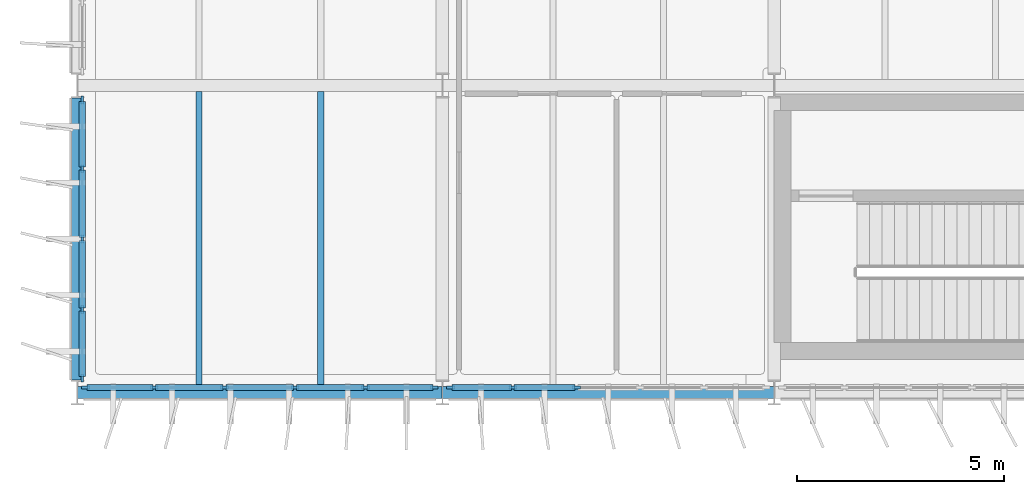
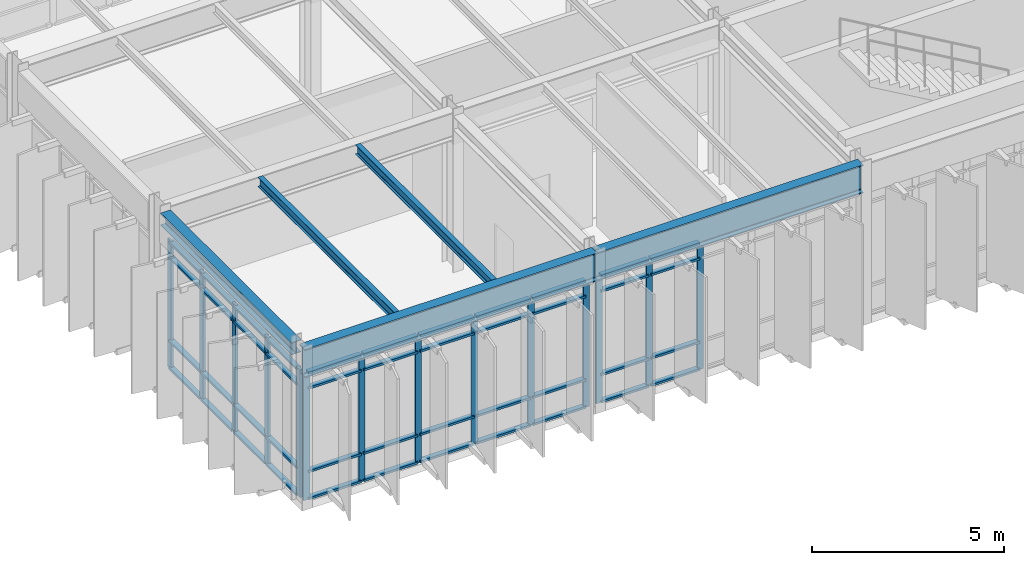
# One storey, part 7 of 48: 58 members, 5 beams, 3 elements without a shape of their own.
"""IFC4 building model written with IfcOpenShell, lengths in metres."""

from ifc_helpers import new_model, si_unit, direction, frame, origin, origin_2d, place, context, subcontext, project, spatial, rectangle, i_section, extrude, material, layer, layer_set, material_profile, profile_set, type_object, element, aggregate, save


model = new_model("IFC4")

# Units and contexts
model_context = context("Model", 3, precision=1e-05, world=origin(), true_north=direction((0.0, 1.0)))
body_context = subcontext(model_context, "Body", "Model", "MODEL_VIEW")
ifc_project = project(units=[si_unit("LENGTHUNIT", "METRE"), si_unit("AREAUNIT", "SQUARE_METRE"), si_unit("VOLUMEUNIT", "CUBIC_METRE"), si_unit("PLANEANGLEUNIT", "RADIAN"), si_unit("MASSUNIT", "GRAM", prefix="KILO")], contexts=[model_context])

# Site, building, storey
site_placement = place(None, origin())
site = spatial("IfcSite", under=ifc_project, at=site_placement, CompositionType="ELEMENT")
building_placement = place(site_placement, origin())
building = spatial("IfcBuilding", under=site, at=building_placement, Name="Valkorina Park Police Headquarters", CompositionType="ELEMENT")
storey_placement = place(building_placement, frame((0.0, 0.0, 18.10009765625)))
storey = spatial("IfcBuildingStorey", under=building, at=storey_placement, Name="L05", CompositionType="ELEMENT", Elevation=18.10009765625)

# Beams
ifc_material_1 = material(Name="Steel S355", Category="steel")
ifc_material_profile_1 = material_profile(ifc_material_1, i_section(OverallWidth=0.300048828125, OverallDepth=0.389892578125, WebThickness=0.010986328125, FlangeThickness=0.01904296875, FilletRadius=0.027099609375, at=origin_2d()), Name="HEA 400")
ifc_profile_set_1 = profile_set([ifc_material_profile_1], Name="Steel S355")
beam_type_1 = type_object("IfcBeamType", Name="BM-S355-HEA400-SPN", PredefinedType="SPANDREL", material=ifc_profile_set_1)
beam_1_placement = place(storey_placement, frame((0.0, 37.300048828125, 4.784912109375), z_axis=(0.0, 1.0, 0.0), x_axis=(-1.0, 0.0, 0.0)))
element("IfcBeam", 1, at=beam_1_placement, inside=storey, type_object=beam_type_1, Name="L05 Framing Beam 2507", PredefinedType="SPANDREL", context=body_context, shape_type="SweptSolid", body=[
    extrude(i_section(OverallWidth=0.300048828125, OverallDepth=0.389892578125, WebThickness=0.010986328125, FlangeThickness=0.01904296875, FilletRadius=0.027099609375, at=origin_2d()), origin(), (0.0, 0.0, 1.0), 6.800048828125),
])
ifc_material_profile_2 = material_profile(ifc_material_1, i_section(OverallWidth=0.300048828125, OverallDepth=0.89990234375, WebThickness=0.0185546875, FlangeThickness=0.034912109375, FilletRadius=0.030029296875, at=origin_2d()), Name="HEB 900")
ifc_profile_set_2 = profile_set([ifc_material_profile_2], Name="Steel S355")
beam_type_2 = type_object("IfcBeamType", Name="BM-S355-HEB900-EXT", PredefinedType="SPANDREL", material=ifc_profile_set_2)
beam_2_placement = place(storey_placement, frame((0.0078125, 37.0, 4.52978515625), z_axis=(1.0, 0.0, 0.0), x_axis=(0.0, 1.0, 0.0)))
element("IfcBeam", 2, at=beam_2_placement, inside=storey, type_object=beam_type_2, Name="L05 Framing Beam 2454", PredefinedType="SPANDREL", context=body_context, shape_type="SweptSolid", body=[
    extrude(i_section(OverallWidth=0.300048828125, OverallDepth=0.89990234375, WebThickness=0.0185546875, FlangeThickness=0.034912109375, FilletRadius=0.030029296875, at=origin_2d()), origin(), (0.0, 0.0, 1.0), 8.784423828125),
])
beam_3_placement = place(storey_placement, frame((8.8076171875, 37.0, 4.52978515625), z_axis=(1.0, 0.0, 0.0), x_axis=(0.0, 1.0, 0.0)))
element("IfcBeam", 3, at=beam_3_placement, inside=storey, type_object=beam_type_2, Name="L05 Framing Beam 2455", PredefinedType="SPANDREL", context=body_context, shape_type="SweptSolid", body=[
    extrude(i_section(OverallWidth=0.300048828125, OverallDepth=0.89990234375, WebThickness=0.0185546875, FlangeThickness=0.034912109375, FilletRadius=0.030029296875, at=origin_2d()), origin(), (0.0, 0.0, 1.0), 7.984619140625),
])
ifc_material_profile_3 = material_profile(ifc_material_1, i_section(OverallWidth=0.14990234375, OverallDepth=0.300048828125, WebThickness=0.007080078125, FlangeThickness=0.0107421875, FilletRadius=0.014892578125, at=origin_2d()), Name="IPE 300")
ifc_profile_set_3 = profile_set([ifc_material_profile_3], Name="Steel S355")
beam_type_3 = type_object("IfcBeamType", Name="BM-S355-IPE300-JST", PredefinedType="JOIST", material=ifc_profile_set_3)
for number, where, z_axis, x_axis, name in (
    (4, (2.933349609375, 37.14990234375, 4.829833984375), (0.0, 1.0, 0.0), (-1.0, 0.0, 0.0), "L05 Framing Beam 2508"),
    (5, (5.86669921875, 37.14990234375, 4.829833984375), (0.0, 1.0, 0.0), (-1.0, 0.0, 0.0), "L05 Framing Beam 2509"),
):
    element("IfcBeam", number, at=place(storey_placement, frame(where, z_axis=z_axis, x_axis=x_axis)), inside=storey, type_object=beam_type_3, Name=name, PredefinedType="JOIST", context=body_context, shape_type="SweptSolid", body=[
        extrude(i_section(OverallWidth=0.14990234375, OverallDepth=0.300048828125, WebThickness=0.007080078125, FlangeThickness=0.0107421875, FilletRadius=0.014892578125, at=origin_2d()), origin(), (0.0, 0.0, 1.0), 7.10009765625),
    ])

# Curtain wall, members
ifc_material_2 = material(Name="Thermally broken aluminium AW-6060", Category="aluminium")
ifc_layer_1 = layer(ifc_material_2, 0.18994140625)
ifc_layer_set_1 = layer_set([ifc_layer_1], Name="Thermally broken aluminium AW-6060")
curtain_wall_type_1 = type_object("IfcCurtainWallType", Name="CW-V5-7680x4070", PredefinedType="NOTDEFINED", material=ifc_layer_set_1)
curtain_wall_1_placement = place(storey_placement, origin())
curtain_wall_1 = element("IfcCurtainWall", 6, at=curtain_wall_1_placement, inside=storey, type_object=curtain_wall_type_1, Name="L05 Unitised Curtain Wall 073", PredefinedType="NOTDEFINED")
ifc_material_profile_4 = material_profile(ifc_material_2, rectangle(XDim=0.070068359375, YDim=0.18994140625, at=origin_2d()), Name="CWM-02 70x190")
ifc_profile_set_4 = profile_set([ifc_material_profile_4], Name="Thermally broken aluminium AW-6060")
member_type_1 = type_object("IfcMemberType", Name="CWM-70x190", PredefinedType="MULLION", material=ifc_profile_set_4)
member_1_placement = place(storey_placement, frame((12.031982421875, 37.1201171875, 0.0), z_axis=(0.0, 0.0, 1.0), x_axis=(0.0, -1.0, 0.0)))
member_1 = element("IfcMember", 7, at=member_1_placement, type_object=member_type_1, Name="CW-V5-768-407 mullion 4", PredefinedType="MULLION", context=body_context, shape_type="SweptSolid", body=[
    extrude(rectangle(XDim=0.070068359375, YDim=0.18994140625, at=origin_2d()), origin(), (0.0, 0.0, 1.0), 4.06982421875),
])
member_2_placement = place(storey_placement, frame((10.49609375, 37.1201171875, 0.0), z_axis=(0.0, 0.0, 1.0), x_axis=(0.0, -1.0, 0.0)))
member_2 = element("IfcMember", 8, at=member_2_placement, type_object=member_type_1, Name="CW-V5-768-407 mullion 5", PredefinedType="MULLION", context=body_context, shape_type="SweptSolid", body=[
    extrude(rectangle(XDim=0.070068359375, YDim=0.18994140625, at=origin_2d()), origin(), (0.0, 0.0, 1.0), 4.06982421875),
])
member_3_placement = place(storey_placement, frame((8.9951171875, 37.1201171875, 0.0), z_axis=(0.0, 0.0, 1.0), x_axis=(0.0, -1.0, 0.0)))
member_3 = element("IfcMember", 9, at=member_3_placement, type_object=member_type_1, Name="CW-V5-768-407 mullion 6", PredefinedType="MULLION", context=body_context, shape_type="SweptSolid", body=[
    extrude(rectangle(XDim=0.070068359375, YDim=0.18994140625, at=origin_2d()), origin(), (0.0, 0.0, 1.0), 4.06982421875),
])

ifc_layer_2 = layer(ifc_material_2, 0.18994140625)
ifc_layer_set_2 = layer_set([ifc_layer_2], Name="Thermally broken aluminium AW-6060")
curtain_wall_type_2 = type_object("IfcCurtainWallType", Name="CW-V5-8480x4070", PredefinedType="NOTDEFINED", material=ifc_layer_set_2)
curtain_wall_2_placement = place(storey_placement, origin())
curtain_wall_2 = element("IfcCurtainWall", 10, at=curtain_wall_2_placement, inside=storey, type_object=curtain_wall_type_2, Name="L05 Unitised Curtain Wall 074", PredefinedType="NOTDEFINED")
member_4_placement = place(storey_placement, frame((8.60498046875, 37.1201171875, 0.0), z_axis=(0.0, 0.0, 1.0), x_axis=(0.0, -1.0, 0.0)))
member_4 = element("IfcMember", 11, at=member_4_placement, type_object=member_type_1, Name="CW-V5-848-407 mullion 1", PredefinedType="MULLION", context=body_context, shape_type="SweptSolid", body=[
    extrude(rectangle(XDim=0.070068359375, YDim=0.18994140625, at=origin_2d()), origin(), (0.0, 0.0, 1.0), 4.06982421875),
])
member_5_placement = place(storey_placement, frame((6.944091796875, 37.1201171875, 0.0), z_axis=(0.0, 0.0, 1.0), x_axis=(0.0, -1.0, 0.0)))
member_5 = element("IfcMember", 12, at=member_5_placement, type_object=member_type_1, Name="CW-V5-848-407 mullion 2", PredefinedType="MULLION", context=body_context, shape_type="SweptSolid", body=[
    extrude(rectangle(XDim=0.070068359375, YDim=0.18994140625, at=origin_2d()), origin(), (0.0, 0.0, 1.0), 4.06982421875),
])
member_6_placement = place(storey_placement, frame((5.248046875, 37.1201171875, 0.0), z_axis=(0.0, 0.0, 1.0), x_axis=(0.0, -1.0, 0.0)))
member_6 = element("IfcMember", 13, at=member_6_placement, type_object=member_type_1, Name="CW-V5-848-407 mullion 3", PredefinedType="MULLION", context=body_context, shape_type="SweptSolid", body=[
    extrude(rectangle(XDim=0.070068359375, YDim=0.18994140625, at=origin_2d()), origin(), (0.0, 0.0, 1.0), 4.06982421875),
])
member_7_placement = place(storey_placement, frame((3.552001953125, 37.1201171875, 0.0), z_axis=(0.0, 0.0, 1.0), x_axis=(0.0, -1.0, 0.0)))
member_7 = element("IfcMember", 14, at=member_7_placement, type_object=member_type_1, Name="CW-V5-848-407 mullion 4", PredefinedType="MULLION", context=body_context, shape_type="SweptSolid", body=[
    extrude(rectangle(XDim=0.070068359375, YDim=0.18994140625, at=origin_2d()), origin(), (0.0, 0.0, 1.0), 4.06982421875),
])
member_8_placement = place(storey_placement, frame((1.85595703125, 37.1201171875, 0.0), z_axis=(0.0, 0.0, 1.0), x_axis=(0.0, -1.0, 0.0)))
member_8 = element("IfcMember", 15, at=member_8_placement, type_object=member_type_1, Name="CW-V5-848-407 mullion 5", PredefinedType="MULLION", context=body_context, shape_type="SweptSolid", body=[
    extrude(rectangle(XDim=0.070068359375, YDim=0.18994140625, at=origin_2d()), origin(), (0.0, 0.0, 1.0), 4.06982421875),
])
member_9_placement = place(storey_placement, frame((0.195068359375, 37.1201171875, 0.0), z_axis=(0.0, 0.0, 1.0), x_axis=(0.0, -1.0, 0.0)))
member_9 = element("IfcMember", 16, at=member_9_placement, type_object=member_type_1, Name="CW-V5-848-407 mullion 6", PredefinedType="MULLION", context=body_context, shape_type="SweptSolid", body=[
    extrude(rectangle(XDim=0.070068359375, YDim=0.18994140625, at=origin_2d()), origin(), (0.0, 0.0, 1.0), 4.06982421875),
])

ifc_layer_3 = layer(ifc_material_2, 0.18994140625)
ifc_layer_set_3 = layer_set([ifc_layer_3], Name="Thermally broken aluminium AW-6060")
curtain_wall_type_3 = type_object("IfcCurtainWallType", Name="CW-V5-6780x4070", PredefinedType="NOTDEFINED", material=ifc_layer_set_3)
curtain_wall_3_placement = place(storey_placement, origin())
curtain_wall_3 = element("IfcCurtainWall", 17, at=curtain_wall_3_placement, inside=storey, type_object=curtain_wall_type_3, Name="L05 Unitised Curtain Wall 075", PredefinedType="NOTDEFINED")
member_10_placement = place(storey_placement, frame((0.1201171875, 37.344970703125, 0.0), z_axis=(0.0, 0.0, 1.0), x_axis=(-1.0, 0.0, 0.0)))
member_10 = element("IfcMember", 18, at=member_10_placement, type_object=member_type_1, Name="CW-V5-678-407 mullion 1", PredefinedType="MULLION", context=body_context, shape_type="SweptSolid", body=[
    extrude(rectangle(XDim=0.070068359375, YDim=0.18994140625, at=origin_2d()), origin(), (0.0, 0.0, 1.0), 4.06982421875),
])
member_11_placement = place(storey_placement, frame((0.1201171875, 39.0048828125, 0.0), z_axis=(0.0, 0.0, 1.0), x_axis=(-1.0, 0.0, 0.0)))
member_11 = element("IfcMember", 19, at=member_11_placement, type_object=member_type_1, Name="CW-V5-678-407 mullion 2", PredefinedType="MULLION", context=body_context, shape_type="SweptSolid", body=[
    extrude(rectangle(XDim=0.070068359375, YDim=0.18994140625, at=origin_2d()), origin(), (0.0, 0.0, 1.0), 4.06982421875),
])
member_12_placement = place(storey_placement, frame((0.1201171875, 40.699951171875, 0.0), z_axis=(0.0, 0.0, 1.0), x_axis=(-1.0, 0.0, 0.0)))
member_12 = element("IfcMember", 20, at=member_12_placement, type_object=member_type_1, Name="CW-V5-678-407 mullion 3", PredefinedType="MULLION", context=body_context, shape_type="SweptSolid", body=[
    extrude(rectangle(XDim=0.070068359375, YDim=0.18994140625, at=origin_2d()), origin(), (0.0, 0.0, 1.0), 4.06982421875),
])
member_13_placement = place(storey_placement, frame((0.1201171875, 42.39501953125, 0.0), z_axis=(0.0, 0.0, 1.0), x_axis=(-1.0, 0.0, 0.0)))
member_13 = element("IfcMember", 21, at=member_13_placement, type_object=member_type_1, Name="CW-V5-678-407 mullion 4", PredefinedType="MULLION", context=body_context, shape_type="SweptSolid", body=[
    extrude(rectangle(XDim=0.070068359375, YDim=0.18994140625, at=origin_2d()), origin(), (0.0, 0.0, 1.0), 4.06982421875),
])
member_14_placement = place(storey_placement, frame((0.1201171875, 44.054931640625, 0.0), z_axis=(0.0, 0.0, 1.0), x_axis=(-1.0, 0.0, 0.0)))
member_14 = element("IfcMember", 22, at=member_14_placement, type_object=member_type_1, Name="CW-V5-678-407 mullion 5", PredefinedType="MULLION", context=body_context, shape_type="SweptSolid", body=[
    extrude(rectangle(XDim=0.070068359375, YDim=0.18994140625, at=origin_2d()), origin(), (0.0, 0.0, 1.0), 4.06982421875),
])

# Member
ifc_material_profile_5 = material_profile(ifc_material_2, rectangle(XDim=0.14990234375, YDim=0.070068359375, at=origin_2d()), Name="CWT-02 150x70")
ifc_profile_set_5 = profile_set([ifc_material_profile_5], Name="Thermally broken aluminium AW-6060")
member_type_2 = type_object("IfcMemberType", Name="CWT-150x70", PredefinedType="USERDEFINED", material=ifc_profile_set_5)
member_15_placement = place(storey_placement, frame((11.9970703125, 37.1201171875, 0.034912109375), z_axis=(-1.0, 0.0, 0.0), x_axis=(0.0, -1.0, 0.0)))
member_15 = element("IfcMember", 23, at=member_15_placement, type_object=member_type_2, Name="CW-V5-768-407 transom 4.1", ObjectType="TRANSOM", PredefinedType="USERDEFINED", context=body_context, shape_type="SweptSolid", body=[
    extrude(rectangle(XDim=0.14990234375, YDim=0.070068359375, at=origin_2d()), origin(), (0.0, 0.0, 1.0), 1.466064453125),
])

member_16_placement = place(storey_placement, frame((11.9970703125, 37.1201171875, 0.89990234375), z_axis=(-1.0, 0.0, 0.0), x_axis=(0.0, -1.0, 0.0)))
member_16 = element("IfcMember", 24, at=member_16_placement, type_object=member_type_2, Name="CW-V5-768-407 transom 4.2", ObjectType="TRANSOM", PredefinedType="USERDEFINED", context=body_context, shape_type="SweptSolid", body=[
    extrude(rectangle(XDim=0.14990234375, YDim=0.070068359375, at=origin_2d()), origin(), (0.0, 0.0, 1.0), 1.466064453125),
])

member_17_placement = place(storey_placement, frame((11.9970703125, 37.1201171875, 3.5498046875), z_axis=(-1.0, 0.0, 0.0), x_axis=(0.0, -1.0, 0.0)))
member_17 = element("IfcMember", 25, at=member_17_placement, type_object=member_type_2, Name="CW-V5-768-407 transom 4.3", ObjectType="TRANSOM", PredefinedType="USERDEFINED", context=body_context, shape_type="SweptSolid", body=[
    extrude(rectangle(XDim=0.14990234375, YDim=0.070068359375, at=origin_2d()), origin(), (0.0, 0.0, 1.0), 1.466064453125),
])

member_18_placement = place(storey_placement, frame((11.9970703125, 37.1201171875, 4.034912109375), z_axis=(-1.0, 0.0, 0.0), x_axis=(0.0, -1.0, 0.0)))
member_18 = element("IfcMember", 26, at=member_18_placement, type_object=member_type_2, Name="CW-V5-768-407 transom 4.4", ObjectType="TRANSOM", PredefinedType="USERDEFINED", context=body_context, shape_type="SweptSolid", body=[
    extrude(rectangle(XDim=0.14990234375, YDim=0.070068359375, at=origin_2d()), origin(), (0.0, 0.0, 1.0), 1.466064453125),
])

member_19_placement = place(storey_placement, frame((10.4609375, 37.1201171875, 0.034912109375), z_axis=(-1.0, 0.0, 0.0), x_axis=(0.0, -1.0, 0.0)))
member_19 = element("IfcMember", 27, at=member_19_placement, type_object=member_type_2, Name="CW-V5-768-407 transom 5.1", ObjectType="TRANSOM", PredefinedType="USERDEFINED", context=body_context, shape_type="SweptSolid", body=[
    extrude(rectangle(XDim=0.14990234375, YDim=0.070068359375, at=origin_2d()), origin(), (0.0, 0.0, 1.0), 1.430908203125),
])

member_20_placement = place(storey_placement, frame((10.4609375, 37.1201171875, 0.89990234375), z_axis=(-1.0, 0.0, 0.0), x_axis=(0.0, -1.0, 0.0)))
member_20 = element("IfcMember", 28, at=member_20_placement, type_object=member_type_2, Name="CW-V5-768-407 transom 5.2", ObjectType="TRANSOM", PredefinedType="USERDEFINED", context=body_context, shape_type="SweptSolid", body=[
    extrude(rectangle(XDim=0.14990234375, YDim=0.070068359375, at=origin_2d()), origin(), (0.0, 0.0, 1.0), 1.430908203125),
])

member_21_placement = place(storey_placement, frame((10.4609375, 37.1201171875, 3.5498046875), z_axis=(-1.0, 0.0, 0.0), x_axis=(0.0, -1.0, 0.0)))
member_21 = element("IfcMember", 29, at=member_21_placement, type_object=member_type_2, Name="CW-V5-768-407 transom 5.3", ObjectType="TRANSOM", PredefinedType="USERDEFINED", context=body_context, shape_type="SweptSolid", body=[
    extrude(rectangle(XDim=0.14990234375, YDim=0.070068359375, at=origin_2d()), origin(), (0.0, 0.0, 1.0), 1.430908203125),
])

member_22_placement = place(storey_placement, frame((10.4609375, 37.1201171875, 4.034912109375), z_axis=(-1.0, 0.0, 0.0), x_axis=(0.0, -1.0, 0.0)))
member_22 = element("IfcMember", 30, at=member_22_placement, type_object=member_type_2, Name="CW-V5-768-407 transom 5.4", ObjectType="TRANSOM", PredefinedType="USERDEFINED", context=body_context, shape_type="SweptSolid", body=[
    extrude(rectangle(XDim=0.14990234375, YDim=0.070068359375, at=origin_2d()), origin(), (0.0, 0.0, 1.0), 1.430908203125),
])

aggregate(curtain_wall_1, [member_1, member_2, member_3, member_15, member_16, member_17, member_18, member_19, member_20, member_21, member_22])

member_23_placement = place(storey_placement, frame((8.570068359375, 37.1201171875, 0.034912109375), z_axis=(-1.0, 0.0, 0.0), x_axis=(0.0, -1.0, 0.0)))
member_23 = element("IfcMember", 31, at=member_23_placement, type_object=member_type_2, Name="CW-V5-848-407 transom 1.1", ObjectType="TRANSOM", PredefinedType="USERDEFINED", context=body_context, shape_type="SweptSolid", body=[
    extrude(rectangle(XDim=0.14990234375, YDim=0.070068359375, at=origin_2d()), origin(), (0.0, 0.0, 1.0), 1.591064453125),
])

member_24_placement = place(storey_placement, frame((8.570068359375, 37.1201171875, 0.89990234375), z_axis=(-1.0, 0.0, 0.0), x_axis=(0.0, -1.0, 0.0)))
member_24 = element("IfcMember", 32, at=member_24_placement, type_object=member_type_2, Name="CW-V5-848-407 transom 1.2", ObjectType="TRANSOM", PredefinedType="USERDEFINED", context=body_context, shape_type="SweptSolid", body=[
    extrude(rectangle(XDim=0.14990234375, YDim=0.070068359375, at=origin_2d()), origin(), (0.0, 0.0, 1.0), 1.591064453125),
])

member_25_placement = place(storey_placement, frame((8.570068359375, 37.1201171875, 3.5498046875), z_axis=(-1.0, 0.0, 0.0), x_axis=(0.0, -1.0, 0.0)))
member_25 = element("IfcMember", 33, at=member_25_placement, type_object=member_type_2, Name="CW-V5-848-407 transom 1.3", ObjectType="TRANSOM", PredefinedType="USERDEFINED", context=body_context, shape_type="SweptSolid", body=[
    extrude(rectangle(XDim=0.14990234375, YDim=0.070068359375, at=origin_2d()), origin(), (0.0, 0.0, 1.0), 1.591064453125),
])

member_26_placement = place(storey_placement, frame((8.570068359375, 37.1201171875, 4.034912109375), z_axis=(-1.0, 0.0, 0.0), x_axis=(0.0, -1.0, 0.0)))
member_26 = element("IfcMember", 34, at=member_26_placement, type_object=member_type_2, Name="CW-V5-848-407 transom 1.4", ObjectType="TRANSOM", PredefinedType="USERDEFINED", context=body_context, shape_type="SweptSolid", body=[
    extrude(rectangle(XDim=0.14990234375, YDim=0.070068359375, at=origin_2d()), origin(), (0.0, 0.0, 1.0), 1.591064453125),
])

member_27_placement = place(storey_placement, frame((6.908935546875, 37.1201171875, 0.034912109375), z_axis=(-1.0, 0.0, 0.0), x_axis=(0.0, -1.0, 0.0)))
member_27 = element("IfcMember", 35, at=member_27_placement, type_object=member_type_2, Name="CW-V5-848-407 transom 2.1", ObjectType="TRANSOM", PredefinedType="USERDEFINED", context=body_context, shape_type="SweptSolid", body=[
    extrude(rectangle(XDim=0.14990234375, YDim=0.070068359375, at=origin_2d()), origin(), (0.0, 0.0, 1.0), 1.6259765625),
])

member_28_placement = place(storey_placement, frame((6.908935546875, 37.1201171875, 0.89990234375), z_axis=(-1.0, 0.0, 0.0), x_axis=(0.0, -1.0, 0.0)))
member_28 = element("IfcMember", 36, at=member_28_placement, type_object=member_type_2, Name="CW-V5-848-407 transom 2.2", ObjectType="TRANSOM", PredefinedType="USERDEFINED", context=body_context, shape_type="SweptSolid", body=[
    extrude(rectangle(XDim=0.14990234375, YDim=0.070068359375, at=origin_2d()), origin(), (0.0, 0.0, 1.0), 1.6259765625),
])

member_29_placement = place(storey_placement, frame((6.908935546875, 37.1201171875, 3.5498046875), z_axis=(-1.0, 0.0, 0.0), x_axis=(0.0, -1.0, 0.0)))
member_29 = element("IfcMember", 37, at=member_29_placement, type_object=member_type_2, Name="CW-V5-848-407 transom 2.3", ObjectType="TRANSOM", PredefinedType="USERDEFINED", context=body_context, shape_type="SweptSolid", body=[
    extrude(rectangle(XDim=0.14990234375, YDim=0.070068359375, at=origin_2d()), origin(), (0.0, 0.0, 1.0), 1.6259765625),
])

member_30_placement = place(storey_placement, frame((6.908935546875, 37.1201171875, 4.034912109375), z_axis=(-1.0, 0.0, 0.0), x_axis=(0.0, -1.0, 0.0)))
member_30 = element("IfcMember", 38, at=member_30_placement, type_object=member_type_2, Name="CW-V5-848-407 transom 2.4", ObjectType="TRANSOM", PredefinedType="USERDEFINED", context=body_context, shape_type="SweptSolid", body=[
    extrude(rectangle(XDim=0.14990234375, YDim=0.070068359375, at=origin_2d()), origin(), (0.0, 0.0, 1.0), 1.6259765625),
])

member_31_placement = place(storey_placement, frame((5.212890625, 37.1201171875, 0.034912109375), z_axis=(-1.0, 0.0, 0.0), x_axis=(0.0, -1.0, 0.0)))
member_31 = element("IfcMember", 39, at=member_31_placement, type_object=member_type_2, Name="CW-V5-848-407 transom 3.1", ObjectType="TRANSOM", PredefinedType="USERDEFINED", context=body_context, shape_type="SweptSolid", body=[
    extrude(rectangle(XDim=0.14990234375, YDim=0.070068359375, at=origin_2d()), origin(), (0.0, 0.0, 1.0), 1.6259765625),
])

member_32_placement = place(storey_placement, frame((5.212890625, 37.1201171875, 0.89990234375), z_axis=(-1.0, 0.0, 0.0), x_axis=(0.0, -1.0, 0.0)))
member_32 = element("IfcMember", 40, at=member_32_placement, type_object=member_type_2, Name="CW-V5-848-407 transom 3.2", ObjectType="TRANSOM", PredefinedType="USERDEFINED", context=body_context, shape_type="SweptSolid", body=[
    extrude(rectangle(XDim=0.14990234375, YDim=0.070068359375, at=origin_2d()), origin(), (0.0, 0.0, 1.0), 1.6259765625),
])

member_33_placement = place(storey_placement, frame((5.212890625, 37.1201171875, 3.5498046875), z_axis=(-1.0, 0.0, 0.0), x_axis=(0.0, -1.0, 0.0)))
member_33 = element("IfcMember", 41, at=member_33_placement, type_object=member_type_2, Name="CW-V5-848-407 transom 3.3", ObjectType="TRANSOM", PredefinedType="USERDEFINED", context=body_context, shape_type="SweptSolid", body=[
    extrude(rectangle(XDim=0.14990234375, YDim=0.070068359375, at=origin_2d()), origin(), (0.0, 0.0, 1.0), 1.6259765625),
])

member_34_placement = place(storey_placement, frame((5.212890625, 37.1201171875, 4.034912109375), z_axis=(-1.0, 0.0, 0.0), x_axis=(0.0, -1.0, 0.0)))
member_34 = element("IfcMember", 42, at=member_34_placement, type_object=member_type_2, Name="CW-V5-848-407 transom 3.4", ObjectType="TRANSOM", PredefinedType="USERDEFINED", context=body_context, shape_type="SweptSolid", body=[
    extrude(rectangle(XDim=0.14990234375, YDim=0.070068359375, at=origin_2d()), origin(), (0.0, 0.0, 1.0), 1.6259765625),
])

member_35_placement = place(storey_placement, frame((3.51708984375, 37.1201171875, 0.034912109375), z_axis=(-1.0, 0.0, 0.0), x_axis=(0.0, -1.0, 0.0)))
member_35 = element("IfcMember", 43, at=member_35_placement, type_object=member_type_2, Name="CW-V5-848-407 transom 4.1", ObjectType="TRANSOM", PredefinedType="USERDEFINED", context=body_context, shape_type="SweptSolid", body=[
    extrude(rectangle(XDim=0.14990234375, YDim=0.070068359375, at=origin_2d()), origin(), (0.0, 0.0, 1.0), 1.6259765625),
])

member_36_placement = place(storey_placement, frame((3.51708984375, 37.1201171875, 0.89990234375), z_axis=(-1.0, 0.0, 0.0), x_axis=(0.0, -1.0, 0.0)))
member_36 = element("IfcMember", 44, at=member_36_placement, type_object=member_type_2, Name="CW-V5-848-407 transom 4.2", ObjectType="TRANSOM", PredefinedType="USERDEFINED", context=body_context, shape_type="SweptSolid", body=[
    extrude(rectangle(XDim=0.14990234375, YDim=0.070068359375, at=origin_2d()), origin(), (0.0, 0.0, 1.0), 1.6259765625),
])

member_37_placement = place(storey_placement, frame((3.51708984375, 37.1201171875, 3.5498046875), z_axis=(-1.0, 0.0, 0.0), x_axis=(0.0, -1.0, 0.0)))
member_37 = element("IfcMember", 45, at=member_37_placement, type_object=member_type_2, Name="CW-V5-848-407 transom 4.3", ObjectType="TRANSOM", PredefinedType="USERDEFINED", context=body_context, shape_type="SweptSolid", body=[
    extrude(rectangle(XDim=0.14990234375, YDim=0.070068359375, at=origin_2d()), origin(), (0.0, 0.0, 1.0), 1.6259765625),
])

member_38_placement = place(storey_placement, frame((3.51708984375, 37.1201171875, 4.034912109375), z_axis=(-1.0, 0.0, 0.0), x_axis=(0.0, -1.0, 0.0)))
member_38 = element("IfcMember", 46, at=member_38_placement, type_object=member_type_2, Name="CW-V5-848-407 transom 4.4", ObjectType="TRANSOM", PredefinedType="USERDEFINED", context=body_context, shape_type="SweptSolid", body=[
    extrude(rectangle(XDim=0.14990234375, YDim=0.070068359375, at=origin_2d()), origin(), (0.0, 0.0, 1.0), 1.6259765625),
])

member_39_placement = place(storey_placement, frame((1.821044921875, 37.1201171875, 0.034912109375), z_axis=(-1.0, 0.0, 0.0), x_axis=(0.0, -1.0, 0.0)))
member_39 = element("IfcMember", 47, at=member_39_placement, type_object=member_type_2, Name="CW-V5-848-407 transom 5.1", ObjectType="TRANSOM", PredefinedType="USERDEFINED", context=body_context, shape_type="SweptSolid", body=[
    extrude(rectangle(XDim=0.14990234375, YDim=0.070068359375, at=origin_2d()), origin(), (0.0, 0.0, 1.0), 1.591064453125),
])

member_40_placement = place(storey_placement, frame((1.821044921875, 37.1201171875, 0.89990234375), z_axis=(-1.0, 0.0, 0.0), x_axis=(0.0, -1.0, 0.0)))
member_40 = element("IfcMember", 48, at=member_40_placement, type_object=member_type_2, Name="CW-V5-848-407 transom 5.2", ObjectType="TRANSOM", PredefinedType="USERDEFINED", context=body_context, shape_type="SweptSolid", body=[
    extrude(rectangle(XDim=0.14990234375, YDim=0.070068359375, at=origin_2d()), origin(), (0.0, 0.0, 1.0), 1.591064453125),
])

member_41_placement = place(storey_placement, frame((1.821044921875, 37.1201171875, 3.5498046875), z_axis=(-1.0, 0.0, 0.0), x_axis=(0.0, -1.0, 0.0)))
member_41 = element("IfcMember", 49, at=member_41_placement, type_object=member_type_2, Name="CW-V5-848-407 transom 5.3", ObjectType="TRANSOM", PredefinedType="USERDEFINED", context=body_context, shape_type="SweptSolid", body=[
    extrude(rectangle(XDim=0.14990234375, YDim=0.070068359375, at=origin_2d()), origin(), (0.0, 0.0, 1.0), 1.591064453125),
])

member_42_placement = place(storey_placement, frame((1.821044921875, 37.1201171875, 4.034912109375), z_axis=(-1.0, 0.0, 0.0), x_axis=(0.0, -1.0, 0.0)))
member_42 = element("IfcMember", 50, at=member_42_placement, type_object=member_type_2, Name="CW-V5-848-407 transom 5.4", ObjectType="TRANSOM", PredefinedType="USERDEFINED", context=body_context, shape_type="SweptSolid", body=[
    extrude(rectangle(XDim=0.14990234375, YDim=0.070068359375, at=origin_2d()), origin(), (0.0, 0.0, 1.0), 1.591064453125),
])

aggregate(curtain_wall_2, [member_4, member_5, member_6, member_7, member_8, member_9, member_23, member_24, member_25, member_26, member_27, member_28, member_29, member_30, member_31, member_32, member_33, member_34, member_35, member_36, member_37, member_38, member_39, member_40, member_41, member_42])

member_43_placement = place(storey_placement, frame((0.1201171875, 37.3798828125, 0.034912109375), z_axis=(0.0, 1.0, 0.0), x_axis=(-1.0, 0.0, 0.0)))
member_43 = element("IfcMember", 51, at=member_43_placement, type_object=member_type_2, Name="CW-V5-678-407 transom 1.1", ObjectType="TRANSOM", PredefinedType="USERDEFINED", context=body_context, shape_type="SweptSolid", body=[
    extrude(rectangle(XDim=0.14990234375, YDim=0.070068359375, at=origin_2d()), origin(), (0.0, 0.0, 1.0), 1.590087890625),
])

member_44_placement = place(storey_placement, frame((0.1201171875, 37.3798828125, 0.89990234375), z_axis=(0.0, 1.0, 0.0), x_axis=(-1.0, 0.0, 0.0)))
member_44 = element("IfcMember", 52, at=member_44_placement, type_object=member_type_2, Name="CW-V5-678-407 transom 1.2", ObjectType="TRANSOM", PredefinedType="USERDEFINED", context=body_context, shape_type="SweptSolid", body=[
    extrude(rectangle(XDim=0.14990234375, YDim=0.070068359375, at=origin_2d()), origin(), (0.0, 0.0, 1.0), 1.590087890625),
])

member_45_placement = place(storey_placement, frame((0.1201171875, 37.3798828125, 3.5498046875), z_axis=(0.0, 1.0, 0.0), x_axis=(-1.0, 0.0, 0.0)))
member_45 = element("IfcMember", 53, at=member_45_placement, type_object=member_type_2, Name="CW-V5-678-407 transom 1.3", ObjectType="TRANSOM", PredefinedType="USERDEFINED", context=body_context, shape_type="SweptSolid", body=[
    extrude(rectangle(XDim=0.14990234375, YDim=0.070068359375, at=origin_2d()), origin(), (0.0, 0.0, 1.0), 1.590087890625),
])

member_46_placement = place(storey_placement, frame((0.1201171875, 37.3798828125, 4.034912109375), z_axis=(0.0, 1.0, 0.0), x_axis=(-1.0, 0.0, 0.0)))
member_46 = element("IfcMember", 54, at=member_46_placement, type_object=member_type_2, Name="CW-V5-678-407 transom 1.4", ObjectType="TRANSOM", PredefinedType="USERDEFINED", context=body_context, shape_type="SweptSolid", body=[
    extrude(rectangle(XDim=0.14990234375, YDim=0.070068359375, at=origin_2d()), origin(), (0.0, 0.0, 1.0), 1.590087890625),
])

member_47_placement = place(storey_placement, frame((0.1201171875, 39.0400390625, 0.034912109375), z_axis=(0.0, 1.0, 0.0), x_axis=(-1.0, 0.0, 0.0)))
member_47 = element("IfcMember", 55, at=member_47_placement, type_object=member_type_2, Name="CW-V5-678-407 transom 2.1", ObjectType="TRANSOM", PredefinedType="USERDEFINED", context=body_context, shape_type="SweptSolid", body=[
    extrude(rectangle(XDim=0.14990234375, YDim=0.070068359375, at=origin_2d()), origin(), (0.0, 0.0, 1.0), 1.625),
])

member_48_placement = place(storey_placement, frame((0.1201171875, 39.0400390625, 0.89990234375), z_axis=(0.0, 1.0, 0.0), x_axis=(-1.0, 0.0, 0.0)))
member_48 = element("IfcMember", 56, at=member_48_placement, type_object=member_type_2, Name="CW-V5-678-407 transom 2.2", ObjectType="TRANSOM", PredefinedType="USERDEFINED", context=body_context, shape_type="SweptSolid", body=[
    extrude(rectangle(XDim=0.14990234375, YDim=0.070068359375, at=origin_2d()), origin(), (0.0, 0.0, 1.0), 1.625),
])

member_49_placement = place(storey_placement, frame((0.1201171875, 39.0400390625, 3.5498046875), z_axis=(0.0, 1.0, 0.0), x_axis=(-1.0, 0.0, 0.0)))
member_49 = element("IfcMember", 57, at=member_49_placement, type_object=member_type_2, Name="CW-V5-678-407 transom 2.3", ObjectType="TRANSOM", PredefinedType="USERDEFINED", context=body_context, shape_type="SweptSolid", body=[
    extrude(rectangle(XDim=0.14990234375, YDim=0.070068359375, at=origin_2d()), origin(), (0.0, 0.0, 1.0), 1.625),
])

member_50_placement = place(storey_placement, frame((0.1201171875, 39.0400390625, 4.034912109375), z_axis=(0.0, 1.0, 0.0), x_axis=(-1.0, 0.0, 0.0)))
member_50 = element("IfcMember", 58, at=member_50_placement, type_object=member_type_2, Name="CW-V5-678-407 transom 2.4", ObjectType="TRANSOM", PredefinedType="USERDEFINED", context=body_context, shape_type="SweptSolid", body=[
    extrude(rectangle(XDim=0.14990234375, YDim=0.070068359375, at=origin_2d()), origin(), (0.0, 0.0, 1.0), 1.625),
])

member_51_placement = place(storey_placement, frame((0.1201171875, 40.735107421875, 0.034912109375), z_axis=(0.0, 1.0, 0.0), x_axis=(-1.0, 0.0, 0.0)))
member_51 = element("IfcMember", 59, at=member_51_placement, type_object=member_type_2, Name="CW-V5-678-407 transom 3.1", ObjectType="TRANSOM", PredefinedType="USERDEFINED", context=body_context, shape_type="SweptSolid", body=[
    extrude(rectangle(XDim=0.14990234375, YDim=0.070068359375, at=origin_2d()), origin(), (0.0, 0.0, 1.0), 1.625),
])

member_52_placement = place(storey_placement, frame((0.1201171875, 40.735107421875, 0.89990234375), z_axis=(0.0, 1.0, 0.0), x_axis=(-1.0, 0.0, 0.0)))
member_52 = element("IfcMember", 60, at=member_52_placement, type_object=member_type_2, Name="CW-V5-678-407 transom 3.2", ObjectType="TRANSOM", PredefinedType="USERDEFINED", context=body_context, shape_type="SweptSolid", body=[
    extrude(rectangle(XDim=0.14990234375, YDim=0.070068359375, at=origin_2d()), origin(), (0.0, 0.0, 1.0), 1.625),
])

member_53_placement = place(storey_placement, frame((0.1201171875, 40.735107421875, 3.5498046875), z_axis=(0.0, 1.0, 0.0), x_axis=(-1.0, 0.0, 0.0)))
member_53 = element("IfcMember", 61, at=member_53_placement, type_object=member_type_2, Name="CW-V5-678-407 transom 3.3", ObjectType="TRANSOM", PredefinedType="USERDEFINED", context=body_context, shape_type="SweptSolid", body=[
    extrude(rectangle(XDim=0.14990234375, YDim=0.070068359375, at=origin_2d()), origin(), (0.0, 0.0, 1.0), 1.625),
])

member_54_placement = place(storey_placement, frame((0.1201171875, 40.735107421875, 4.034912109375), z_axis=(0.0, 1.0, 0.0), x_axis=(-1.0, 0.0, 0.0)))
member_54 = element("IfcMember", 62, at=member_54_placement, type_object=member_type_2, Name="CW-V5-678-407 transom 3.4", ObjectType="TRANSOM", PredefinedType="USERDEFINED", context=body_context, shape_type="SweptSolid", body=[
    extrude(rectangle(XDim=0.14990234375, YDim=0.070068359375, at=origin_2d()), origin(), (0.0, 0.0, 1.0), 1.625),
])

member_55_placement = place(storey_placement, frame((0.1201171875, 42.429931640625, 0.034912109375), z_axis=(0.0, 1.0, 0.0), x_axis=(-1.0, 0.0, 0.0)))
member_55 = element("IfcMember", 63, at=member_55_placement, type_object=member_type_2, Name="CW-V5-678-407 transom 4.1", ObjectType="TRANSOM", PredefinedType="USERDEFINED", context=body_context, shape_type="SweptSolid", body=[
    extrude(rectangle(XDim=0.14990234375, YDim=0.070068359375, at=origin_2d()), origin(), (0.0, 0.0, 1.0), 1.590087890625),
])

member_56_placement = place(storey_placement, frame((0.1201171875, 42.429931640625, 0.89990234375), z_axis=(0.0, 1.0, 0.0), x_axis=(-1.0, 0.0, 0.0)))
member_56 = element("IfcMember", 64, at=member_56_placement, type_object=member_type_2, Name="CW-V5-678-407 transom 4.2", ObjectType="TRANSOM", PredefinedType="USERDEFINED", context=body_context, shape_type="SweptSolid", body=[
    extrude(rectangle(XDim=0.14990234375, YDim=0.070068359375, at=origin_2d()), origin(), (0.0, 0.0, 1.0), 1.590087890625),
])

member_57_placement = place(storey_placement, frame((0.1201171875, 42.429931640625, 3.5498046875), z_axis=(0.0, 1.0, 0.0), x_axis=(-1.0, 0.0, 0.0)))
member_57 = element("IfcMember", 65, at=member_57_placement, type_object=member_type_2, Name="CW-V5-678-407 transom 4.3", ObjectType="TRANSOM", PredefinedType="USERDEFINED", context=body_context, shape_type="SweptSolid", body=[
    extrude(rectangle(XDim=0.14990234375, YDim=0.070068359375, at=origin_2d()), origin(), (0.0, 0.0, 1.0), 1.590087890625),
])

member_58_placement = place(storey_placement, frame((0.1201171875, 42.429931640625, 4.034912109375), z_axis=(0.0, 1.0, 0.0), x_axis=(-1.0, 0.0, 0.0)))
member_58 = element("IfcMember", 66, at=member_58_placement, type_object=member_type_2, Name="CW-V5-678-407 transom 4.4", ObjectType="TRANSOM", PredefinedType="USERDEFINED", context=body_context, shape_type="SweptSolid", body=[
    extrude(rectangle(XDim=0.14990234375, YDim=0.070068359375, at=origin_2d()), origin(), (0.0, 0.0, 1.0), 1.590087890625),
])

aggregate(curtain_wall_3, [member_10, member_11, member_12, member_13, member_14, member_43, member_44, member_45, member_46, member_47, member_48, member_49, member_50, member_51, member_52, member_53, member_54, member_55, member_56, member_57, member_58])

save(model, "model.ifc")
